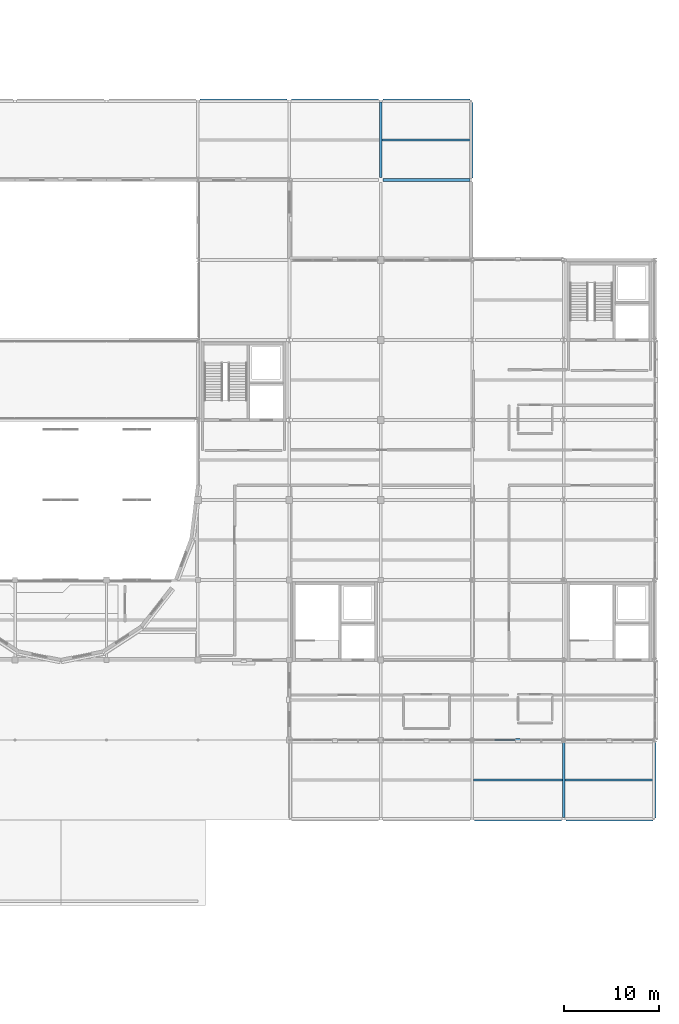
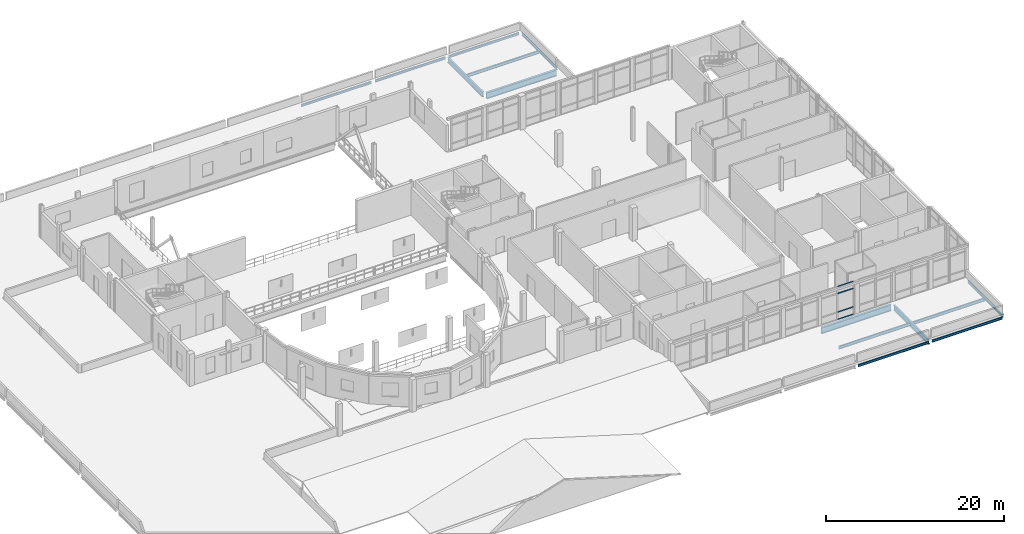
# One storey, part 20 of 52: 14 beams, 4 members, 1 element without a shape of its own.
"""IFC4 building model written with IfcOpenShell, lengths in metres."""

from ifc_helpers import new_model, si_unit, direction, frame, origin, origin_2d, place, context, subcontext, project, spatial, hollow_rectangle, i_section, extrude, material, layer, layer_set, material_profile, profile_set, type_object, element, aggregate, save


model = new_model("IFC4")

# Units and contexts
model_context = context("Model", 3, precision=1e-05, world=origin(), true_north=direction((0.0, 1.0)))
body_context = subcontext(model_context, "Body", "Model", "MODEL_VIEW")
ifc_project = project(units=[si_unit("LENGTHUNIT", "METRE"), si_unit("AREAUNIT", "SQUARE_METRE"), si_unit("VOLUMEUNIT", "CUBIC_METRE"), si_unit("PLANEANGLEUNIT", "RADIAN"), si_unit("MASSUNIT", "GRAM", prefix="KILO")], contexts=[model_context])

# Site, building, storey
site_placement = place(None, origin())
site = spatial("IfcSite", under=ifc_project, at=site_placement, CompositionType="ELEMENT")
building_placement = place(site_placement, origin())
building = spatial("IfcBuilding", under=site, at=building_placement, Name="Lornevale Opera House", CompositionType="ELEMENT")
storey_placement = place(building_placement, frame((0.0, 0.0, 15.0)))
storey = spatial("IfcBuildingStorey", under=building, at=storey_placement, Name="L04", CompositionType="ELEMENT", Elevation=15.0)

# Curtain wall, members
ifc_material_1 = material(Name="Anodized Oxide-Green Aluminium Framing", Category="aluminium")
ifc_layer = layer(ifc_material_1, 0.18505859375)
ifc_layer_set = layer_set([ifc_layer], Name="Anodized Oxide-Green Aluminium Framing")
curtain_wall_type = type_object("IfcCurtainWallType", Name="Conservatory Curtain Wall M2100", PredefinedType="NOTDEFINED", material=ifc_layer_set)
curtain_wall_placement = place(storey_placement, origin())
curtain_wall = element("IfcCurtainWall", 1, at=curtain_wall_placement, inside=storey, type_object=curtain_wall_type, Name="Conservatory Curtain Wall M2100 CW-158", PredefinedType="NOTDEFINED")
ifc_material_profile_1 = material_profile(ifc_material_1, hollow_rectangle(XDim=0.074951171875, YDim=0.159912109375, WallThickness=0.0048828125, at=origin_2d()), Name="ALU75x160x5")
ifc_profile_set_1 = profile_set([ifc_material_profile_1], Name="Anodized Oxide-Green Aluminium Framing")
member_type = type_object("IfcMemberType", Name="Curtain Wall Transom 75x160", PredefinedType="USERDEFINED", material=ifc_profile_set_1)
member_1_placement = place(storey_placement, frame((129.2548828125, 25.199951171875, 0.03759765625), z_axis=(-1.0, 0.0, 0.0), x_axis=(0.0, -1.0, 0.0)))
member_1 = element("IfcMember", 2, at=member_1_placement, type_object=member_type, Name="Curtain Wall Transom 75x160 CW3241", ObjectType="TRANSOM", PredefinedType="USERDEFINED", context=body_context, shape_type="SweptSolid", body=[
    extrude(hollow_rectangle(XDim=0.074951171875, YDim=0.159912109375, WallThickness=0.0048828125, at=origin_2d()), origin(), (0.0, 0.0, 1.0), 2.071044921875),
])
member_2_placement = place(storey_placement, frame((129.2548828125, 25.199951171875, 1.050048828125), z_axis=(-1.0, 0.0, 0.0), x_axis=(0.0, -1.0, 0.0)))
member_2 = element("IfcMember", 3, at=member_2_placement, type_object=member_type, Name="Curtain Wall Transom 75x160 CW3242", ObjectType="TRANSOM", PredefinedType="USERDEFINED", context=body_context, shape_type="SweptSolid", body=[
    extrude(hollow_rectangle(XDim=0.074951171875, YDim=0.159912109375, WallThickness=0.0048828125, at=origin_2d()), origin(), (0.0, 0.0, 1.0), 2.071044921875),
])
member_3_placement = place(storey_placement, frame((129.2548828125, 25.199951171875, 3.610107421875), z_axis=(-1.0, 0.0, 0.0), x_axis=(0.0, -1.0, 0.0)))
member_3 = element("IfcMember", 4, at=member_3_placement, type_object=member_type, Name="Curtain Wall Transom 75x160 CW3243", ObjectType="TRANSOM", PredefinedType="USERDEFINED", context=body_context, shape_type="SweptSolid", body=[
    extrude(hollow_rectangle(XDim=0.074951171875, YDim=0.159912109375, WallThickness=0.0048828125, at=origin_2d()), origin(), (0.0, 0.0, 1.0), 2.071044921875),
])
member_4_placement = place(storey_placement, frame((129.2548828125, 25.199951171875, 4.5224609375), z_axis=(-1.0, 0.0, 0.0), x_axis=(0.0, -1.0, 0.0)))
member_4 = element("IfcMember", 5, at=member_4_placement, type_object=member_type, Name="Curtain Wall Transom 75x160 CW3244", ObjectType="TRANSOM", PredefinedType="USERDEFINED", context=body_context, shape_type="SweptSolid", body=[
    extrude(hollow_rectangle(XDim=0.074951171875, YDim=0.159912109375, WallThickness=0.0048828125, at=origin_2d()), origin(), (0.0, 0.0, 1.0), 2.071044921875),
])
aggregate(curtain_wall, [member_1, member_2, member_3, member_4])

# Beams
ifc_material_2 = material(Name="Structural Steel CSA G40.21 Grade 350W (350 MPa)", Category="steel")
ifc_material_profile_2 = material_profile(ifc_material_2, i_section(OverallWidth=0.299072265625, OverallDepth=0.845947265625, WebThickness=0.015380859375, FlangeThickness=0.0244140625, at=origin_2d()), Name="W840x210")
ifc_profile_set_2 = profile_set([ifc_material_profile_2], Name="Structural Steel CSA G40.21 Grade 350W (350 MPa)")
beam_type_1 = type_object("IfcBeamType", Name="Steel Clear-Span Girder W840x210", PredefinedType="USERDEFINED", material=ifc_profile_set_2)
beam_1_placement = place(storey_placement, frame((125.074951171875, 25.199951171875, -0.72802734375), z_axis=(1.0, 0.0, 0.0), x_axis=(0.0, 1.0, 0.0)))
element("IfcBeam", 6, at=beam_1_placement, inside=storey, type_object=beam_type_1, Name="Steel Clear-Span Girder W840x210 2477", ObjectType="GIRDER", PredefinedType="USERDEFINED", context=body_context, shape_type="SweptSolid", body=[
    extrude(i_section(OverallWidth=0.299072265625, OverallDepth=0.845947265625, WebThickness=0.015380859375, FlangeThickness=0.0244140625, at=origin_2d()), origin(), (0.0, 0.0, 1.0), 9.050048828125),
])
beam_2_placement = place(storey_placement, frame((115.449951171875, 84.0, -0.72802734375), z_axis=(1.0, 0.0, 0.0), x_axis=(0.0, 1.0, 0.0)))
element("IfcBeam", 7, at=beam_2_placement, inside=storey, type_object=beam_type_1, Name="Steel Clear-Span Girder W840x210 2550", ObjectType="GIRDER", PredefinedType="USERDEFINED", context=body_context, shape_type="SweptSolid", body=[
    extrude(i_section(OverallWidth=0.299072265625, OverallDepth=0.845947265625, WebThickness=0.015380859375, FlangeThickness=0.0244140625, at=origin_2d()), origin(), (0.0, 0.0, 1.0), 9.125),
])
ifc_material_profile_3 = material_profile(ifc_material_2, i_section(OverallWidth=0.179931640625, OverallDepth=0.4130859375, WebThickness=0.009765625, FlangeThickness=0.01611328125, at=origin_2d()), Name="W410x74")
ifc_profile_set_3 = profile_set([ifc_material_profile_3], Name="Structural Steel CSA G40.21 Grade 350W (350 MPa)")
beam_type_2 = type_object("IfcBeamType", Name="Steel Floor Joist W410x74", PredefinedType="JOIST", material=ifc_profile_set_3)
beam_3_placement = place(storey_placement, frame((115.326904296875, 88.199951171875, -0.511474609375), z_axis=(1.0, 0.0, 0.0), x_axis=(0.0, 1.0, 0.0)))
element("IfcBeam", 8, at=beam_3_placement, inside=storey, type_object=beam_type_2, Name="Steel Floor Joist W410x74 2699", PredefinedType="JOIST", context=body_context, shape_type="SweptSolid", body=[
    extrude(i_section(OverallWidth=0.179931640625, OverallDepth=0.4130859375, WebThickness=0.009765625, FlangeThickness=0.01611328125, at=origin_2d()), origin(), (0.0, 0.0, 1.0), 9.3896484375),
])
beam_4_placement = place(storey_placement, frame((124.927001953125, 21.0, -0.511474609375), z_axis=(1.0, 0.0, 0.0), x_axis=(0.0, 1.0, 0.0)))
element("IfcBeam", 9, at=beam_4_placement, inside=storey, type_object=beam_type_2, Name="Steel Floor Joist W410x74 2700", PredefinedType="JOIST", context=body_context, shape_type="SweptSolid", body=[
    extrude(i_section(OverallWidth=0.179931640625, OverallDepth=0.4130859375, WebThickness=0.009765625, FlangeThickness=0.01611328125, at=origin_2d()), origin(), (0.0, 0.0, 1.0), 9.345947265625),
])
beam_5_placement = place(storey_placement, frame((134.527099609375, 21.0, -0.511474609375), z_axis=(1.0, 0.0, 0.0), x_axis=(0.0, 1.0, 0.0)))
element("IfcBeam", 10, at=beam_5_placement, inside=storey, type_object=beam_type_2, Name="Steel Floor Joist W410x74 2707", PredefinedType="JOIST", context=body_context, shape_type="SweptSolid", body=[
    extrude(i_section(OverallWidth=0.179931640625, OverallDepth=0.4130859375, WebThickness=0.009765625, FlangeThickness=0.01611328125, at=origin_2d()), origin(), (0.0, 0.0, 1.0), 9.389404296875),
])
ifc_material_profile_4 = material_profile(ifc_material_2, i_section(OverallWidth=0.25390625, OverallDepth=0.68798828125, WebThickness=0.01318359375, FlangeThickness=0.02099609375, at=origin_2d()), Name="W690x152")
ifc_profile_set_4 = profile_set([ifc_material_profile_4], Name="Structural Steel CSA G40.21 Grade 350W (350 MPa)")
beam_type_3 = type_object("IfcBeamType", Name="Steel Foyer Beam W690x152", PredefinedType="USERDEFINED", material=ifc_profile_set_4)
beam_6_placement = place(storey_placement, frame((115.199951171875, 84.25, -0.64892578125), z_axis=(0.0, 1.0, 0.0), x_axis=(-1.0, 0.0, 0.0)))
element("IfcBeam", 11, at=beam_6_placement, inside=storey, type_object=beam_type_3, Name="Steel Foyer Beam W690x152 2629", ObjectType="GIRDER", PredefinedType="USERDEFINED", context=body_context, shape_type="SweptSolid", body=[
    extrude(i_section(OverallWidth=0.25390625, OverallDepth=0.68798828125, WebThickness=0.01318359375, FlangeThickness=0.02099609375, at=origin_2d()), origin(), (0.0, 0.0, 1.0), 7.925048828125),
])
beam_7_placement = place(storey_placement, frame((134.39990234375, 17.050048828125, -0.64892578125), z_axis=(0.0, 1.0, 0.0), x_axis=(-1.0, 0.0, 0.0)))
element("IfcBeam", 12, at=beam_7_placement, inside=storey, type_object=beam_type_3, Name="Steel Foyer Beam W690x152 2639", ObjectType="GIRDER", PredefinedType="USERDEFINED", context=body_context, shape_type="SweptSolid", body=[
    extrude(i_section(OverallWidth=0.25390625, OverallDepth=0.68798828125, WebThickness=0.01318359375, FlangeThickness=0.02099609375, at=origin_2d()), origin(), (0.0, 0.0, 1.0), 7.875),
])
ifc_material_profile_5 = material_profile(ifc_material_2, i_section(OverallWidth=0.1669921875, OverallDepth=0.31689453125, WebThickness=0.007568359375, FlangeThickness=0.01318359375, at=origin_2d()), Name="W310x52")
ifc_profile_set_5 = profile_set([ifc_material_profile_5], Name="Structural Steel CSA G40.21 Grade 350W (350 MPa)")
beam_type_4 = type_object("IfcBeamType", Name="Steel Spandrel Beam W310x52", PredefinedType="SPANDREL", material=ifc_profile_set_5)
for number, where, z_axis, x_axis, name in (
    (13, (125.02490234375, 16.800048828125, -0.46337890625), (1.0, 0.0, 0.0), (0.0, 1.0, 0.0), "Steel Spandrel Beam W310x52 2467"),
    (14, (134.64990234375, 16.800048828125, -0.46337890625), (1.0, 0.0, 0.0), (0.0, 1.0, 0.0), "Steel Spandrel Beam W310x52 2468"),
    (15, (96.22509765625, 92.39990234375, -0.46337890625), (1.0, 0.0, 0.0), (0.0, 1.0, 0.0), "Steel Spandrel Beam W310x52 2557"),
    (16, (105.85009765625, 92.39990234375, -0.46337890625), (1.0, 0.0, 0.0), (0.0, 1.0, 0.0), "Steel Spandrel Beam W310x52 2558"),
    (17, (115.425048828125, 92.39990234375, -0.46337890625), (1.0, 0.0, 0.0), (0.0, 1.0, 0.0), "Steel Spandrel Beam W310x52 2559"),
):
    element("IfcBeam", number, at=place(storey_placement, frame(where, z_axis=z_axis, x_axis=x_axis)), inside=storey, type_object=beam_type_4, Name=name, PredefinedType="SPANDREL", context=body_context, shape_type="SweptSolid", body=[
        extrude(i_section(OverallWidth=0.1669921875, OverallDepth=0.31689453125, WebThickness=0.007568359375, FlangeThickness=0.01318359375, at=origin_2d()), origin(), (0.0, 0.0, 1.0), 9.125),
    ])
beam_8_placement = place(storey_placement, frame((124.800048828125, 84.22509765625, -0.46337890625), z_axis=(0.0, 1.0, 0.0), x_axis=(-1.0, 0.0, 0.0)))
element("IfcBeam", 18, at=beam_8_placement, inside=storey, type_object=beam_type_4, Name="Steel Spandrel Beam W310x52 2638", PredefinedType="SPANDREL", context=body_context, shape_type="SweptSolid", body=[
    extrude(i_section(OverallWidth=0.1669921875, OverallDepth=0.31689453125, WebThickness=0.007568359375, FlangeThickness=0.01318359375, at=origin_2d()), origin(), (0.0, 0.0, 1.0), 7.9248046875),
])
beam_9_placement = place(storey_placement, frame((144.0, 17.02490234375, -0.46337890625), z_axis=(0.0, 1.0, 0.0), x_axis=(-1.0, 0.0, 0.0)))
element("IfcBeam", 19, at=beam_9_placement, inside=storey, type_object=beam_type_4, Name="Steel Spandrel Beam W310x52 2646", PredefinedType="SPANDREL", context=body_context, shape_type="SweptSolid", body=[
    extrude(i_section(OverallWidth=0.1669921875, OverallDepth=0.31689453125, WebThickness=0.007568359375, FlangeThickness=0.01318359375, at=origin_2d()), origin(), (0.0, 0.0, 1.0), 7.900146484375),
])

save(model, "model.ifc")
